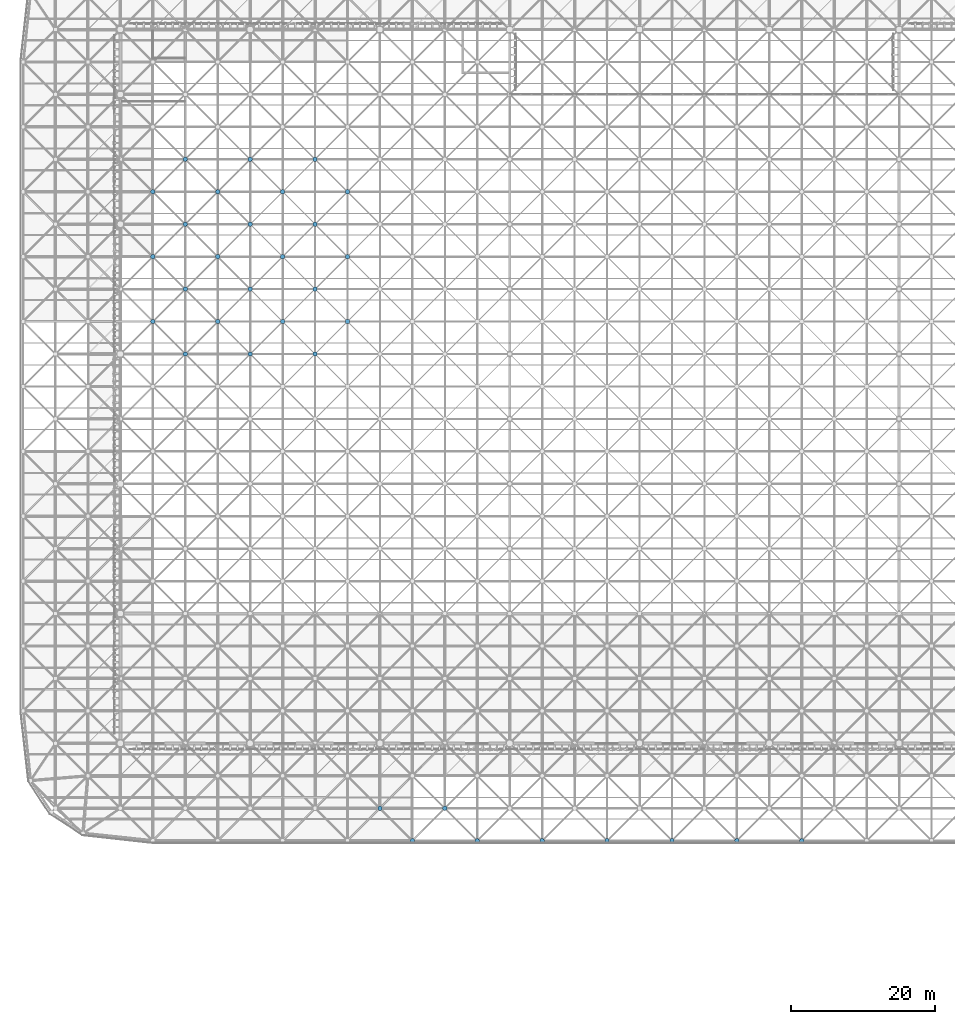
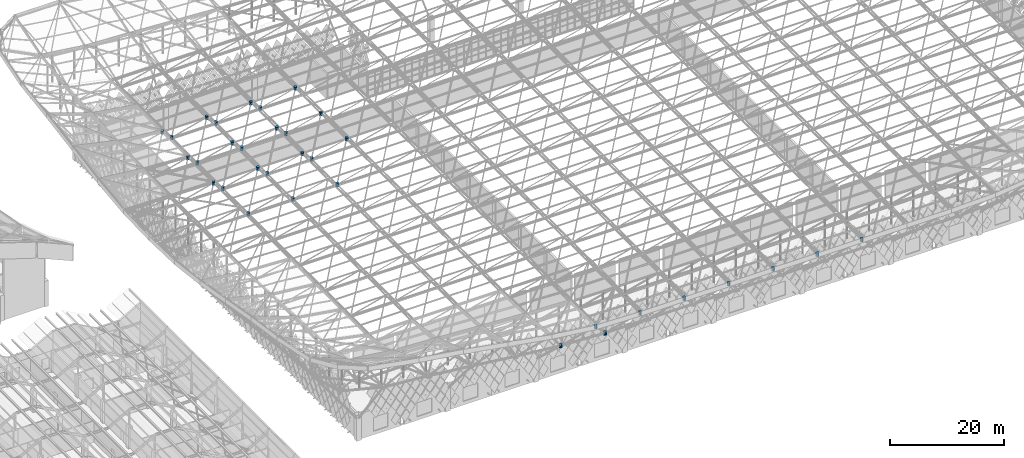
# One storey, part 296 of 437: 33 discrete accessories.
"""IFC4 building model written with IfcOpenShell, lengths in metres."""

from ifc_helpers import new_model, si_unit, direction, frame, origin, place, context, subcontext, project, spatial, polyline, outline, extrude, material, type_object, element, save


model = new_model("IFC4")

# Units and contexts
model_context = context("Model", 3, precision=1e-05, world=origin(), true_north=direction((0.0, 1.0)))
body_context = subcontext(model_context, "Body", "Model", "MODEL_VIEW")
ifc_project = project(units=[si_unit("LENGTHUNIT", "METRE"), si_unit("AREAUNIT", "SQUARE_METRE"), si_unit("VOLUMEUNIT", "CUBIC_METRE"), si_unit("PLANEANGLEUNIT", "RADIAN"), si_unit("MASSUNIT", "GRAM", prefix="KILO")], contexts=[model_context])

# Site, building, storey
site_placement = place(None, origin())
site = spatial("IfcSite", under=ifc_project, at=site_placement, CompositionType="ELEMENT")
building_placement = place(site_placement, origin())
building = spatial("IfcBuilding", under=site, at=building_placement, Name="Opaline Strait Convention Centre", CompositionType="ELEMENT")
storey_placement = place(building_placement, frame((0.0, 0.0, 11.5)))
storey = spatial("IfcBuildingStorey", under=building, at=storey_placement, Name="L02", CompositionType="ELEMENT", Elevation=11.5)

# Discrete accessories
ifc_material = material(Name="Cast steel ZG300-500H (300 MPa)", Category="steel")
discrete_accessory_type = type_object("IfcDiscreteAccessoryType", Name="Space frame node hub D600", PredefinedType="USERDEFINED", material=ifc_material)
discrete_accessory_1_placement = place(storey_placement, frame((0.0, 0.0, 17.611572265625)))
element("IfcDiscreteAccessory", 1, at=discrete_accessory_1_placement, inside=storey, type_object=discrete_accessory_type, Name="Top node 3/9", ObjectType="NODE HUB", PredefinedType="USERDEFINED", context=body_context, shape_type="SweptSolid", body=[
    extrude(outline(polyline([(103.800048828125, 112.559814453125), (103.75439453125, 112.669921875), (103.669921875, 112.75439453125), (103.559814453125, 112.800048828125), (103.440185546875, 112.800048828125), (103.330078125, 112.75439453125), (103.24560546875, 112.669921875), (103.199951171875, 112.559814453125), (103.199951171875, 112.440185546875), (103.24560546875, 112.330078125), (103.330078125, 112.24560546875), (103.440185546875, 112.199951171875), (103.559814453125, 112.199951171875), (103.669921875, 112.24560546875), (103.75439453125, 112.330078125), (103.800048828125, 112.440185546875), (103.800048828125, 112.559814453125)])), origin(), (0.0, 0.0, 1.0), 0.719970703125),
])
discrete_accessory_2_placement = place(storey_placement, frame((0.0, 0.0, 17.611572265625)))
element("IfcDiscreteAccessory", 2, at=discrete_accessory_2_placement, inside=storey, type_object=discrete_accessory_type, Name="Top node 3/10", ObjectType="NODE HUB", PredefinedType="USERDEFINED", context=body_context, shape_type="SweptSolid", body=[
    extrude(outline(polyline([(103.800048828125, 121.559814453125), (103.75439453125, 121.669921875), (103.669921875, 121.75439453125), (103.559814453125, 121.800048828125), (103.440185546875, 121.800048828125), (103.330078125, 121.75439453125), (103.24560546875, 121.669921875), (103.199951171875, 121.559814453125), (103.199951171875, 121.440185546875), (103.24560546875, 121.330078125), (103.330078125, 121.24560546875), (103.440185546875, 121.199951171875), (103.559814453125, 121.199951171875), (103.669921875, 121.24560546875), (103.75439453125, 121.330078125), (103.800048828125, 121.440185546875), (103.800048828125, 121.559814453125)])), origin(), (0.0, 0.0, 1.0), 0.719970703125),
])
discrete_accessory_3_placement = place(storey_placement, frame((0.0, 0.0, 17.611572265625)))
element("IfcDiscreteAccessory", 3, at=discrete_accessory_3_placement, inside=storey, type_object=discrete_accessory_type, Name="Top node 3/11", ObjectType="NODE HUB", PredefinedType="USERDEFINED", context=body_context, shape_type="SweptSolid", body=[
    extrude(outline(polyline([(103.800048828125, 130.559814453125), (103.75439453125, 130.669921875), (103.669921875, 130.75439453125), (103.559814453125, 130.800048828125), (103.440185546875, 130.800048828125), (103.330078125, 130.75439453125), (103.24560546875, 130.669921875), (103.199951171875, 130.559814453125), (103.199951171875, 130.440185546875), (103.24560546875, 130.330078125), (103.330078125, 130.24560546875), (103.440185546875, 130.199951171875), (103.559814453125, 130.199951171875), (103.669921875, 130.24560546875), (103.75439453125, 130.330078125), (103.800048828125, 130.440185546875), (103.800048828125, 130.559814453125)])), origin(), (0.0, 0.0, 1.0), 0.719970703125),
])
discrete_accessory_4_placement = place(storey_placement, frame((0.0, 0.0, 17.611572265625)))
element("IfcDiscreteAccessory", 4, at=discrete_accessory_4_placement, inside=storey, type_object=discrete_accessory_type, Name="Top node 4/9", ObjectType="NODE HUB", PredefinedType="USERDEFINED", context=body_context, shape_type="SweptSolid", body=[
    extrude(outline(polyline([(112.800048828125, 112.559814453125), (112.75439453125, 112.669921875), (112.669921875, 112.75439453125), (112.559814453125, 112.800048828125), (112.440185546875, 112.800048828125), (112.330078125, 112.75439453125), (112.24560546875, 112.669921875), (112.199951171875, 112.559814453125), (112.199951171875, 112.440185546875), (112.24560546875, 112.330078125), (112.330078125, 112.24560546875), (112.440185546875, 112.199951171875), (112.559814453125, 112.199951171875), (112.669921875, 112.24560546875), (112.75439453125, 112.330078125), (112.800048828125, 112.440185546875), (112.800048828125, 112.559814453125)])), origin(), (0.0, 0.0, 1.0), 0.719970703125),
])
discrete_accessory_5_placement = place(storey_placement, frame((0.0, 0.0, 17.611572265625)))
element("IfcDiscreteAccessory", 5, at=discrete_accessory_5_placement, inside=storey, type_object=discrete_accessory_type, Name="Top node 4/10", ObjectType="NODE HUB", PredefinedType="USERDEFINED", context=body_context, shape_type="SweptSolid", body=[
    extrude(outline(polyline([(112.800048828125, 121.559814453125), (112.75439453125, 121.669921875), (112.669921875, 121.75439453125), (112.559814453125, 121.800048828125), (112.440185546875, 121.800048828125), (112.330078125, 121.75439453125), (112.24560546875, 121.669921875), (112.199951171875, 121.559814453125), (112.199951171875, 121.440185546875), (112.24560546875, 121.330078125), (112.330078125, 121.24560546875), (112.440185546875, 121.199951171875), (112.559814453125, 121.199951171875), (112.669921875, 121.24560546875), (112.75439453125, 121.330078125), (112.800048828125, 121.440185546875), (112.800048828125, 121.559814453125)])), origin(), (0.0, 0.0, 1.0), 0.719970703125),
])
discrete_accessory_6_placement = place(storey_placement, frame((0.0, 0.0, 17.611572265625)))
element("IfcDiscreteAccessory", 6, at=discrete_accessory_6_placement, inside=storey, type_object=discrete_accessory_type, Name="Top node 4/11", ObjectType="NODE HUB", PredefinedType="USERDEFINED", context=body_context, shape_type="SweptSolid", body=[
    extrude(outline(polyline([(112.800048828125, 130.559814453125), (112.75439453125, 130.669921875), (112.669921875, 130.75439453125), (112.559814453125, 130.800048828125), (112.440185546875, 130.800048828125), (112.330078125, 130.75439453125), (112.24560546875, 130.669921875), (112.199951171875, 130.559814453125), (112.199951171875, 130.440185546875), (112.24560546875, 130.330078125), (112.330078125, 130.24560546875), (112.440185546875, 130.199951171875), (112.559814453125, 130.199951171875), (112.669921875, 130.24560546875), (112.75439453125, 130.330078125), (112.800048828125, 130.440185546875), (112.800048828125, 130.559814453125)])), origin(), (0.0, 0.0, 1.0), 0.719970703125),
])
discrete_accessory_7_placement = place(storey_placement, frame((0.0, 0.0, 17.611572265625)))
element("IfcDiscreteAccessory", 7, at=discrete_accessory_7_placement, inside=storey, type_object=discrete_accessory_type, Name="Top node 5/9", ObjectType="NODE HUB", PredefinedType="USERDEFINED", context=body_context, shape_type="SweptSolid", body=[
    extrude(outline(polyline([(121.800048828125, 112.559814453125), (121.75439453125, 112.669921875), (121.669921875, 112.75439453125), (121.559814453125, 112.800048828125), (121.440185546875, 112.800048828125), (121.330078125, 112.75439453125), (121.24560546875, 112.669921875), (121.199951171875, 112.559814453125), (121.199951171875, 112.440185546875), (121.24560546875, 112.330078125), (121.330078125, 112.24560546875), (121.440185546875, 112.199951171875), (121.559814453125, 112.199951171875), (121.669921875, 112.24560546875), (121.75439453125, 112.330078125), (121.800048828125, 112.440185546875), (121.800048828125, 112.559814453125)])), origin(), (0.0, 0.0, 1.0), 0.719970703125),
])
discrete_accessory_8_placement = place(storey_placement, frame((0.0, 0.0, 17.611572265625)))
element("IfcDiscreteAccessory", 8, at=discrete_accessory_8_placement, inside=storey, type_object=discrete_accessory_type, Name="Top node 5/10", ObjectType="NODE HUB", PredefinedType="USERDEFINED", context=body_context, shape_type="SweptSolid", body=[
    extrude(outline(polyline([(121.800048828125, 121.559814453125), (121.75439453125, 121.669921875), (121.669921875, 121.75439453125), (121.559814453125, 121.800048828125), (121.440185546875, 121.800048828125), (121.330078125, 121.75439453125), (121.24560546875, 121.669921875), (121.199951171875, 121.559814453125), (121.199951171875, 121.440185546875), (121.24560546875, 121.330078125), (121.330078125, 121.24560546875), (121.440185546875, 121.199951171875), (121.559814453125, 121.199951171875), (121.669921875, 121.24560546875), (121.75439453125, 121.330078125), (121.800048828125, 121.440185546875), (121.800048828125, 121.559814453125)])), origin(), (0.0, 0.0, 1.0), 0.719970703125),
])
discrete_accessory_9_placement = place(storey_placement, frame((0.0, 0.0, 17.611572265625)))
element("IfcDiscreteAccessory", 9, at=discrete_accessory_9_placement, inside=storey, type_object=discrete_accessory_type, Name="Top node 5/11", ObjectType="NODE HUB", PredefinedType="USERDEFINED", context=body_context, shape_type="SweptSolid", body=[
    extrude(outline(polyline([(121.800048828125, 130.559814453125), (121.75439453125, 130.669921875), (121.669921875, 130.75439453125), (121.559814453125, 130.800048828125), (121.440185546875, 130.800048828125), (121.330078125, 130.75439453125), (121.24560546875, 130.669921875), (121.199951171875, 130.559814453125), (121.199951171875, 130.440185546875), (121.24560546875, 130.330078125), (121.330078125, 130.24560546875), (121.440185546875, 130.199951171875), (121.559814453125, 130.199951171875), (121.669921875, 130.24560546875), (121.75439453125, 130.330078125), (121.800048828125, 130.440185546875), (121.800048828125, 130.559814453125)])), origin(), (0.0, 0.0, 1.0), 0.719970703125),
])
discrete_accessory_10_placement = place(storey_placement, frame((0.0, 0.0, 17.611572265625)))
element("IfcDiscreteAccessory", 10, at=discrete_accessory_10_placement, inside=storey, type_object=discrete_accessory_type, Name="Top node 6/9", ObjectType="NODE HUB", PredefinedType="USERDEFINED", context=body_context, shape_type="SweptSolid", body=[
    extrude(outline(polyline([(130.800048828125, 112.559814453125), (130.75439453125, 112.669921875), (130.669921875, 112.75439453125), (130.559814453125, 112.800048828125), (130.440185546875, 112.800048828125), (130.330078125, 112.75439453125), (130.24560546875, 112.669921875), (130.199951171875, 112.559814453125), (130.199951171875, 112.440185546875), (130.24560546875, 112.330078125), (130.330078125, 112.24560546875), (130.440185546875, 112.199951171875), (130.559814453125, 112.199951171875), (130.669921875, 112.24560546875), (130.75439453125, 112.330078125), (130.800048828125, 112.440185546875), (130.800048828125, 112.559814453125)])), origin(), (0.0, 0.0, 1.0), 0.719970703125),
])
discrete_accessory_11_placement = place(storey_placement, frame((0.0, 0.0, 17.611572265625)))
element("IfcDiscreteAccessory", 11, at=discrete_accessory_11_placement, inside=storey, type_object=discrete_accessory_type, Name="Top node 6/10", ObjectType="NODE HUB", PredefinedType="USERDEFINED", context=body_context, shape_type="SweptSolid", body=[
    extrude(outline(polyline([(130.800048828125, 121.559814453125), (130.75439453125, 121.669921875), (130.669921875, 121.75439453125), (130.559814453125, 121.800048828125), (130.440185546875, 121.800048828125), (130.330078125, 121.75439453125), (130.24560546875, 121.669921875), (130.199951171875, 121.559814453125), (130.199951171875, 121.440185546875), (130.24560546875, 121.330078125), (130.330078125, 121.24560546875), (130.440185546875, 121.199951171875), (130.559814453125, 121.199951171875), (130.669921875, 121.24560546875), (130.75439453125, 121.330078125), (130.800048828125, 121.440185546875), (130.800048828125, 121.559814453125)])), origin(), (0.0, 0.0, 1.0), 0.719970703125),
])
discrete_accessory_12_placement = place(storey_placement, frame((0.0, 0.0, 17.611572265625)))
element("IfcDiscreteAccessory", 12, at=discrete_accessory_12_placement, inside=storey, type_object=discrete_accessory_type, Name="Top node 6/11", ObjectType="NODE HUB", PredefinedType="USERDEFINED", context=body_context, shape_type="SweptSolid", body=[
    extrude(outline(polyline([(130.800048828125, 130.559814453125), (130.75439453125, 130.669921875), (130.669921875, 130.75439453125), (130.559814453125, 130.800048828125), (130.440185546875, 130.800048828125), (130.330078125, 130.75439453125), (130.24560546875, 130.669921875), (130.199951171875, 130.559814453125), (130.199951171875, 130.440185546875), (130.24560546875, 130.330078125), (130.330078125, 130.24560546875), (130.440185546875, 130.199951171875), (130.559814453125, 130.199951171875), (130.669921875, 130.24560546875), (130.75439453125, 130.330078125), (130.800048828125, 130.440185546875), (130.800048828125, 130.559814453125)])), origin(), (0.0, 0.0, 1.0), 0.719970703125),
])
discrete_accessory_13_placement = place(storey_placement, frame((0.0, 0.0, 17.8642578125)))
element("IfcDiscreteAccessory", 13, at=discrete_accessory_13_placement, inside=storey, type_object=discrete_accessory_type, Name="Top node 7/1", ObjectType="NODE HUB", PredefinedType="USERDEFINED", context=body_context, shape_type="SweptSolid", body=[
    extrude(outline(polyline([(139.800048828125, 40.559814453125), (139.75439453125, 40.669921875), (139.669921875, 40.75439453125), (139.559814453125, 40.800048828125), (139.440185546875, 40.800048828125), (139.330078125, 40.75439453125), (139.24560546875, 40.669921875), (139.199951171875, 40.559814453125), (139.199951171875, 40.440185546875), (139.24560546875, 40.330078125), (139.330078125, 40.24560546875), (139.440185546875, 40.199951171875), (139.559814453125, 40.199951171875), (139.669921875, 40.24560546875), (139.75439453125, 40.330078125), (139.800048828125, 40.440185546875), (139.800048828125, 40.559814453125)])), origin(), (0.0, 0.0, 1.0), 0.719970703125),
])
discrete_accessory_14_placement = place(storey_placement, frame((0.0, 0.0, 17.611572265625)))
element("IfcDiscreteAccessory", 14, at=discrete_accessory_14_placement, inside=storey, type_object=discrete_accessory_type, Name="Top node 8/1", ObjectType="NODE HUB", PredefinedType="USERDEFINED", context=body_context, shape_type="SweptSolid", body=[
    extrude(outline(polyline([(148.800048828125, 40.559814453125), (148.75439453125, 40.669921875), (148.669921875, 40.75439453125), (148.559814453125, 40.800048828125), (148.440185546875, 40.800048828125), (148.330078125, 40.75439453125), (148.24560546875, 40.669921875), (148.199951171875, 40.559814453125), (148.199951171875, 40.440185546875), (148.24560546875, 40.330078125), (148.330078125, 40.24560546875), (148.440185546875, 40.199951171875), (148.559814453125, 40.199951171875), (148.669921875, 40.24560546875), (148.75439453125, 40.330078125), (148.800048828125, 40.440185546875), (148.800048828125, 40.559814453125)])), origin(), (0.0, 0.0, 1.0), 0.719970703125),
])
discrete_accessory_15_placement = place(storey_placement, frame((0.0, 0.0, 17.611572265625)))
element("IfcDiscreteAccessory", 15, at=discrete_accessory_15_placement, inside=storey, type_object=discrete_accessory_type, Name="Top node 9/1", ObjectType="NODE HUB", PredefinedType="USERDEFINED", context=body_context, shape_type="SweptSolid", body=[
    extrude(outline(polyline([(157.800048828125, 40.559814453125), (157.75439453125, 40.669921875), (157.669921875, 40.75439453125), (157.559814453125, 40.800048828125), (157.440185546875, 40.800048828125), (157.330078125, 40.75439453125), (157.24560546875, 40.669921875), (157.199951171875, 40.559814453125), (157.199951171875, 40.440185546875), (157.24560546875, 40.330078125), (157.330078125, 40.24560546875), (157.440185546875, 40.199951171875), (157.559814453125, 40.199951171875), (157.669921875, 40.24560546875), (157.75439453125, 40.330078125), (157.800048828125, 40.440185546875), (157.800048828125, 40.559814453125)])), origin(), (0.0, 0.0, 1.0), 0.719970703125),
])
discrete_accessory_16_placement = place(storey_placement, frame((0.0, 0.0, 17.611572265625)))
element("IfcDiscreteAccessory", 16, at=discrete_accessory_16_placement, inside=storey, type_object=discrete_accessory_type, Name="Top node 10/1", ObjectType="NODE HUB", PredefinedType="USERDEFINED", context=body_context, shape_type="SweptSolid", body=[
    extrude(outline(polyline([(166.800048828125, 40.559814453125), (166.75439453125, 40.669921875), (166.669921875, 40.75439453125), (166.559814453125, 40.800048828125), (166.440185546875, 40.800048828125), (166.330078125, 40.75439453125), (166.24560546875, 40.669921875), (166.199951171875, 40.559814453125), (166.199951171875, 40.440185546875), (166.24560546875, 40.330078125), (166.330078125, 40.24560546875), (166.440185546875, 40.199951171875), (166.559814453125, 40.199951171875), (166.669921875, 40.24560546875), (166.75439453125, 40.330078125), (166.800048828125, 40.440185546875), (166.800048828125, 40.559814453125)])), origin(), (0.0, 0.0, 1.0), 0.719970703125),
])
discrete_accessory_17_placement = place(storey_placement, frame((0.0, 0.0, 17.611572265625)))
element("IfcDiscreteAccessory", 17, at=discrete_accessory_17_placement, inside=storey, type_object=discrete_accessory_type, Name="Top node 11/1", ObjectType="NODE HUB", PredefinedType="USERDEFINED", context=body_context, shape_type="SweptSolid", body=[
    extrude(outline(polyline([(175.800048828125, 40.559814453125), (175.75439453125, 40.669921875), (175.669921875, 40.75439453125), (175.559814453125, 40.800048828125), (175.440185546875, 40.800048828125), (175.330078125, 40.75439453125), (175.24560546875, 40.669921875), (175.199951171875, 40.559814453125), (175.199951171875, 40.440185546875), (175.24560546875, 40.330078125), (175.330078125, 40.24560546875), (175.440185546875, 40.199951171875), (175.559814453125, 40.199951171875), (175.669921875, 40.24560546875), (175.75439453125, 40.330078125), (175.800048828125, 40.440185546875), (175.800048828125, 40.559814453125)])), origin(), (0.0, 0.0, 1.0), 0.719970703125),
])
discrete_accessory_18_placement = place(storey_placement, frame((0.0, 0.0, 17.611572265625)))
element("IfcDiscreteAccessory", 18, at=discrete_accessory_18_placement, inside=storey, type_object=discrete_accessory_type, Name="Top node 12/1", ObjectType="NODE HUB", PredefinedType="USERDEFINED", context=body_context, shape_type="SweptSolid", body=[
    extrude(outline(polyline([(184.800048828125, 40.559814453125), (184.75439453125, 40.669921875), (184.669921875, 40.75439453125), (184.559814453125, 40.800048828125), (184.440185546875, 40.800048828125), (184.330078125, 40.75439453125), (184.24560546875, 40.669921875), (184.199951171875, 40.559814453125), (184.199951171875, 40.440185546875), (184.24560546875, 40.330078125), (184.330078125, 40.24560546875), (184.440185546875, 40.199951171875), (184.559814453125, 40.199951171875), (184.669921875, 40.24560546875), (184.75439453125, 40.330078125), (184.800048828125, 40.440185546875), (184.800048828125, 40.559814453125)])), origin(), (0.0, 0.0, 1.0), 0.719970703125),
])
discrete_accessory_19_placement = place(storey_placement, frame((0.0, 0.0, 17.611572265625)))
element("IfcDiscreteAccessory", 19, at=discrete_accessory_19_placement, inside=storey, type_object=discrete_accessory_type, Name="Top node 13/1", ObjectType="NODE HUB", PredefinedType="USERDEFINED", context=body_context, shape_type="SweptSolid", body=[
    extrude(outline(polyline([(193.800048828125, 40.559814453125), (193.75439453125, 40.669921875), (193.669921875, 40.75439453125), (193.559814453125, 40.800048828125), (193.440185546875, 40.800048828125), (193.330078125, 40.75439453125), (193.24560546875, 40.669921875), (193.199951171875, 40.559814453125), (193.199951171875, 40.440185546875), (193.24560546875, 40.330078125), (193.330078125, 40.24560546875), (193.440185546875, 40.199951171875), (193.559814453125, 40.199951171875), (193.669921875, 40.24560546875), (193.75439453125, 40.330078125), (193.800048828125, 40.440185546875), (193.800048828125, 40.559814453125)])), origin(), (0.0, 0.0, 1.0), 0.719970703125),
])
discrete_accessory_20_placement = place(storey_placement, frame((0.0, 0.0, 12.139892578125)))
element("IfcDiscreteAccessory", 20, at=discrete_accessory_20_placement, inside=storey, type_object=discrete_accessory_type, Name="Bottom node 3/8", ObjectType="NODE HUB", PredefinedType="USERDEFINED", context=body_context, shape_type="SweptSolid", body=[
    extrude(outline(polyline([(108.300048828125, 108.059814453125), (108.25439453125, 108.169921875), (108.169921875, 108.25439453125), (108.059814453125, 108.300048828125), (107.940185546875, 108.300048828125), (107.830078125, 108.25439453125), (107.74560546875, 108.169921875), (107.699951171875, 108.059814453125), (107.699951171875, 107.940185546875), (107.74560546875, 107.830078125), (107.830078125, 107.74560546875), (107.940185546875, 107.699951171875), (108.059814453125, 107.699951171875), (108.169921875, 107.74560546875), (108.25439453125, 107.830078125), (108.300048828125, 107.940185546875), (108.300048828125, 108.059814453125)])), origin(), (0.0, 0.0, 1.0), 0.72021484375),
])
discrete_accessory_21_placement = place(storey_placement, frame((0.0, 0.0, 12.139892578125)))
element("IfcDiscreteAccessory", 21, at=discrete_accessory_21_placement, inside=storey, type_object=discrete_accessory_type, Name="Bottom node 3/9", ObjectType="NODE HUB", PredefinedType="USERDEFINED", context=body_context, shape_type="SweptSolid", body=[
    extrude(outline(polyline([(108.300048828125, 117.059814453125), (108.25439453125, 117.169921875), (108.169921875, 117.25439453125), (108.059814453125, 117.300048828125), (107.940185546875, 117.300048828125), (107.830078125, 117.25439453125), (107.74560546875, 117.169921875), (107.699951171875, 117.059814453125), (107.699951171875, 116.940185546875), (107.74560546875, 116.830078125), (107.830078125, 116.74560546875), (107.940185546875, 116.699951171875), (108.059814453125, 116.699951171875), (108.169921875, 116.74560546875), (108.25439453125, 116.830078125), (108.300048828125, 116.940185546875), (108.300048828125, 117.059814453125)])), origin(), (0.0, 0.0, 1.0), 0.72021484375),
])
discrete_accessory_22_placement = place(storey_placement, frame((0.0, 0.0, 12.139892578125)))
element("IfcDiscreteAccessory", 22, at=discrete_accessory_22_placement, inside=storey, type_object=discrete_accessory_type, Name="Bottom node 3/10", ObjectType="NODE HUB", PredefinedType="USERDEFINED", context=body_context, shape_type="SweptSolid", body=[
    extrude(outline(polyline([(108.300048828125, 126.059814453125), (108.25439453125, 126.169921875), (108.169921875, 126.25439453125), (108.059814453125, 126.300048828125), (107.940185546875, 126.300048828125), (107.830078125, 126.25439453125), (107.74560546875, 126.169921875), (107.699951171875, 126.059814453125), (107.699951171875, 125.940185546875), (107.74560546875, 125.830078125), (107.830078125, 125.74560546875), (107.940185546875, 125.699951171875), (108.059814453125, 125.699951171875), (108.169921875, 125.74560546875), (108.25439453125, 125.830078125), (108.300048828125, 125.940185546875), (108.300048828125, 126.059814453125)])), origin(), (0.0, 0.0, 1.0), 0.72021484375),
])
discrete_accessory_23_placement = place(storey_placement, frame((0.0, 0.0, 12.139892578125)))
element("IfcDiscreteAccessory", 23, at=discrete_accessory_23_placement, inside=storey, type_object=discrete_accessory_type, Name="Bottom node 3/11", ObjectType="NODE HUB", PredefinedType="USERDEFINED", context=body_context, shape_type="SweptSolid", body=[
    extrude(outline(polyline([(108.300048828125, 135.059814453125), (108.25439453125, 135.169921875), (108.169921875, 135.25439453125), (108.059814453125, 135.300048828125), (107.940185546875, 135.300048828125), (107.830078125, 135.25439453125), (107.74560546875, 135.169921875), (107.699951171875, 135.059814453125), (107.699951171875, 134.940185546875), (107.74560546875, 134.830078125), (107.830078125, 134.74560546875), (107.940185546875, 134.699951171875), (108.059814453125, 134.699951171875), (108.169921875, 134.74560546875), (108.25439453125, 134.830078125), (108.300048828125, 134.940185546875), (108.300048828125, 135.059814453125)])), origin(), (0.0, 0.0, 1.0), 0.72021484375),
])
discrete_accessory_24_placement = place(storey_placement, frame((0.0, 0.0, 12.139892578125)))
element("IfcDiscreteAccessory", 24, at=discrete_accessory_24_placement, inside=storey, type_object=discrete_accessory_type, Name="Bottom node 4/8", ObjectType="NODE HUB", PredefinedType="USERDEFINED", context=body_context, shape_type="SweptSolid", body=[
    extrude(outline(polyline([(117.300048828125, 108.059814453125), (117.25439453125, 108.169921875), (117.169921875, 108.25439453125), (117.059814453125, 108.300048828125), (116.940185546875, 108.300048828125), (116.830078125, 108.25439453125), (116.74560546875, 108.169921875), (116.699951171875, 108.059814453125), (116.699951171875, 107.940185546875), (116.74560546875, 107.830078125), (116.830078125, 107.74560546875), (116.940185546875, 107.699951171875), (117.059814453125, 107.699951171875), (117.169921875, 107.74560546875), (117.25439453125, 107.830078125), (117.300048828125, 107.940185546875), (117.300048828125, 108.059814453125)])), origin(), (0.0, 0.0, 1.0), 0.72021484375),
])
discrete_accessory_25_placement = place(storey_placement, frame((0.0, 0.0, 12.139892578125)))
element("IfcDiscreteAccessory", 25, at=discrete_accessory_25_placement, inside=storey, type_object=discrete_accessory_type, Name="Bottom node 4/9", ObjectType="NODE HUB", PredefinedType="USERDEFINED", context=body_context, shape_type="SweptSolid", body=[
    extrude(outline(polyline([(117.300048828125, 117.059814453125), (117.25439453125, 117.169921875), (117.169921875, 117.25439453125), (117.059814453125, 117.300048828125), (116.940185546875, 117.300048828125), (116.830078125, 117.25439453125), (116.74560546875, 117.169921875), (116.699951171875, 117.059814453125), (116.699951171875, 116.940185546875), (116.74560546875, 116.830078125), (116.830078125, 116.74560546875), (116.940185546875, 116.699951171875), (117.059814453125, 116.699951171875), (117.169921875, 116.74560546875), (117.25439453125, 116.830078125), (117.300048828125, 116.940185546875), (117.300048828125, 117.059814453125)])), origin(), (0.0, 0.0, 1.0), 0.72021484375),
])
discrete_accessory_26_placement = place(storey_placement, frame((0.0, 0.0, 12.139892578125)))
element("IfcDiscreteAccessory", 26, at=discrete_accessory_26_placement, inside=storey, type_object=discrete_accessory_type, Name="Bottom node 4/10", ObjectType="NODE HUB", PredefinedType="USERDEFINED", context=body_context, shape_type="SweptSolid", body=[
    extrude(outline(polyline([(117.300048828125, 126.059814453125), (117.25439453125, 126.169921875), (117.169921875, 126.25439453125), (117.059814453125, 126.300048828125), (116.940185546875, 126.300048828125), (116.830078125, 126.25439453125), (116.74560546875, 126.169921875), (116.699951171875, 126.059814453125), (116.699951171875, 125.940185546875), (116.74560546875, 125.830078125), (116.830078125, 125.74560546875), (116.940185546875, 125.699951171875), (117.059814453125, 125.699951171875), (117.169921875, 125.74560546875), (117.25439453125, 125.830078125), (117.300048828125, 125.940185546875), (117.300048828125, 126.059814453125)])), origin(), (0.0, 0.0, 1.0), 0.72021484375),
])
discrete_accessory_27_placement = place(storey_placement, frame((0.0, 0.0, 12.139892578125)))
element("IfcDiscreteAccessory", 27, at=discrete_accessory_27_placement, inside=storey, type_object=discrete_accessory_type, Name="Bottom node 4/11", ObjectType="NODE HUB", PredefinedType="USERDEFINED", context=body_context, shape_type="SweptSolid", body=[
    extrude(outline(polyline([(117.300048828125, 135.059814453125), (117.25439453125, 135.169921875), (117.169921875, 135.25439453125), (117.059814453125, 135.300048828125), (116.940185546875, 135.300048828125), (116.830078125, 135.25439453125), (116.74560546875, 135.169921875), (116.699951171875, 135.059814453125), (116.699951171875, 134.940185546875), (116.74560546875, 134.830078125), (116.830078125, 134.74560546875), (116.940185546875, 134.699951171875), (117.059814453125, 134.699951171875), (117.169921875, 134.74560546875), (117.25439453125, 134.830078125), (117.300048828125, 134.940185546875), (117.300048828125, 135.059814453125)])), origin(), (0.0, 0.0, 1.0), 0.72021484375),
])
discrete_accessory_28_placement = place(storey_placement, frame((0.0, 0.0, 12.139892578125)))
element("IfcDiscreteAccessory", 28, at=discrete_accessory_28_placement, inside=storey, type_object=discrete_accessory_type, Name="Bottom node 5/8", ObjectType="NODE HUB", PredefinedType="USERDEFINED", context=body_context, shape_type="SweptSolid", body=[
    extrude(outline(polyline([(126.300048828125, 108.059814453125), (126.25439453125, 108.169921875), (126.169921875, 108.25439453125), (126.059814453125, 108.300048828125), (125.940185546875, 108.300048828125), (125.830078125, 108.25439453125), (125.74560546875, 108.169921875), (125.699951171875, 108.059814453125), (125.699951171875, 107.940185546875), (125.74560546875, 107.830078125), (125.830078125, 107.74560546875), (125.940185546875, 107.699951171875), (126.059814453125, 107.699951171875), (126.169921875, 107.74560546875), (126.25439453125, 107.830078125), (126.300048828125, 107.940185546875), (126.300048828125, 108.059814453125)])), origin(), (0.0, 0.0, 1.0), 0.72021484375),
])
discrete_accessory_29_placement = place(storey_placement, frame((0.0, 0.0, 12.139892578125)))
element("IfcDiscreteAccessory", 29, at=discrete_accessory_29_placement, inside=storey, type_object=discrete_accessory_type, Name="Bottom node 5/9", ObjectType="NODE HUB", PredefinedType="USERDEFINED", context=body_context, shape_type="SweptSolid", body=[
    extrude(outline(polyline([(126.300048828125, 117.059814453125), (126.25439453125, 117.169921875), (126.169921875, 117.25439453125), (126.059814453125, 117.300048828125), (125.940185546875, 117.300048828125), (125.830078125, 117.25439453125), (125.74560546875, 117.169921875), (125.699951171875, 117.059814453125), (125.699951171875, 116.940185546875), (125.74560546875, 116.830078125), (125.830078125, 116.74560546875), (125.940185546875, 116.699951171875), (126.059814453125, 116.699951171875), (126.169921875, 116.74560546875), (126.25439453125, 116.830078125), (126.300048828125, 116.940185546875), (126.300048828125, 117.059814453125)])), origin(), (0.0, 0.0, 1.0), 0.72021484375),
])
discrete_accessory_30_placement = place(storey_placement, frame((0.0, 0.0, 12.139892578125)))
element("IfcDiscreteAccessory", 30, at=discrete_accessory_30_placement, inside=storey, type_object=discrete_accessory_type, Name="Bottom node 5/10", ObjectType="NODE HUB", PredefinedType="USERDEFINED", context=body_context, shape_type="SweptSolid", body=[
    extrude(outline(polyline([(126.300048828125, 126.059814453125), (126.25439453125, 126.169921875), (126.169921875, 126.25439453125), (126.059814453125, 126.300048828125), (125.940185546875, 126.300048828125), (125.830078125, 126.25439453125), (125.74560546875, 126.169921875), (125.699951171875, 126.059814453125), (125.699951171875, 125.940185546875), (125.74560546875, 125.830078125), (125.830078125, 125.74560546875), (125.940185546875, 125.699951171875), (126.059814453125, 125.699951171875), (126.169921875, 125.74560546875), (126.25439453125, 125.830078125), (126.300048828125, 125.940185546875), (126.300048828125, 126.059814453125)])), origin(), (0.0, 0.0, 1.0), 0.72021484375),
])
discrete_accessory_31_placement = place(storey_placement, frame((0.0, 0.0, 12.139892578125)))
element("IfcDiscreteAccessory", 31, at=discrete_accessory_31_placement, inside=storey, type_object=discrete_accessory_type, Name="Bottom node 5/11", ObjectType="NODE HUB", PredefinedType="USERDEFINED", context=body_context, shape_type="SweptSolid", body=[
    extrude(outline(polyline([(126.300048828125, 135.059814453125), (126.25439453125, 135.169921875), (126.169921875, 135.25439453125), (126.059814453125, 135.300048828125), (125.940185546875, 135.300048828125), (125.830078125, 135.25439453125), (125.74560546875, 135.169921875), (125.699951171875, 135.059814453125), (125.699951171875, 134.940185546875), (125.74560546875, 134.830078125), (125.830078125, 134.74560546875), (125.940185546875, 134.699951171875), (126.059814453125, 134.699951171875), (126.169921875, 134.74560546875), (126.25439453125, 134.830078125), (126.300048828125, 134.940185546875), (126.300048828125, 135.059814453125)])), origin(), (0.0, 0.0, 1.0), 0.72021484375),
])
discrete_accessory_32_placement = place(storey_placement, frame((0.0, 0.0, 12.599365234375)))
element("IfcDiscreteAccessory", 32, at=discrete_accessory_32_placement, inside=storey, type_object=discrete_accessory_type, Name="Bottom node 6/1", ObjectType="NODE HUB", PredefinedType="USERDEFINED", context=body_context, shape_type="SweptSolid", body=[
    extrude(outline(polyline([(135.300048828125, 45.059814453125), (135.25439453125, 45.169921875), (135.169921875, 45.25439453125), (135.059814453125, 45.300048828125), (134.940185546875, 45.300048828125), (134.830078125, 45.25439453125), (134.74560546875, 45.169921875), (134.699951171875, 45.059814453125), (134.699951171875, 44.940185546875), (134.74560546875, 44.830078125), (134.830078125, 44.74560546875), (134.940185546875, 44.699951171875), (135.059814453125, 44.699951171875), (135.169921875, 44.74560546875), (135.25439453125, 44.830078125), (135.300048828125, 44.940185546875), (135.300048828125, 45.059814453125)])), origin(), (0.0, 0.0, 1.0), 0.719970703125),
])
discrete_accessory_33_placement = place(storey_placement, frame((0.0, 0.0, 12.14892578125)))
element("IfcDiscreteAccessory", 33, at=discrete_accessory_33_placement, inside=storey, type_object=discrete_accessory_type, Name="Bottom node 7/1", ObjectType="NODE HUB", PredefinedType="USERDEFINED", context=body_context, shape_type="SweptSolid", body=[
    extrude(outline(polyline([(144.300048828125, 45.059814453125), (144.25439453125, 45.169921875), (144.169921875, 45.25439453125), (144.059814453125, 45.300048828125), (143.940185546875, 45.300048828125), (143.830078125, 45.25439453125), (143.74560546875, 45.169921875), (143.699951171875, 45.059814453125), (143.699951171875, 44.940185546875), (143.74560546875, 44.830078125), (143.830078125, 44.74560546875), (143.940185546875, 44.699951171875), (144.059814453125, 44.699951171875), (144.169921875, 44.74560546875), (144.25439453125, 44.830078125), (144.300048828125, 44.940185546875), (144.300048828125, 45.059814453125)])), origin(), (0.0, 0.0, 1.0), 0.719970703125),
])

save(model, "model.ifc")
